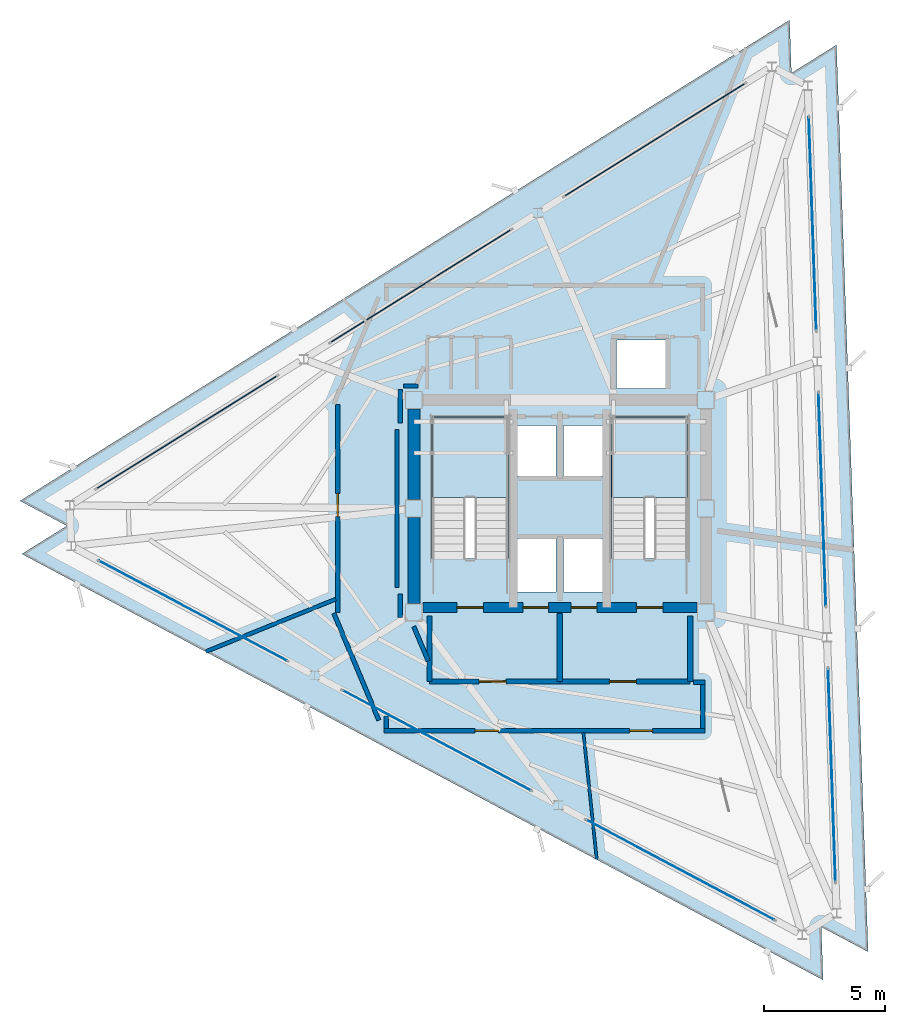
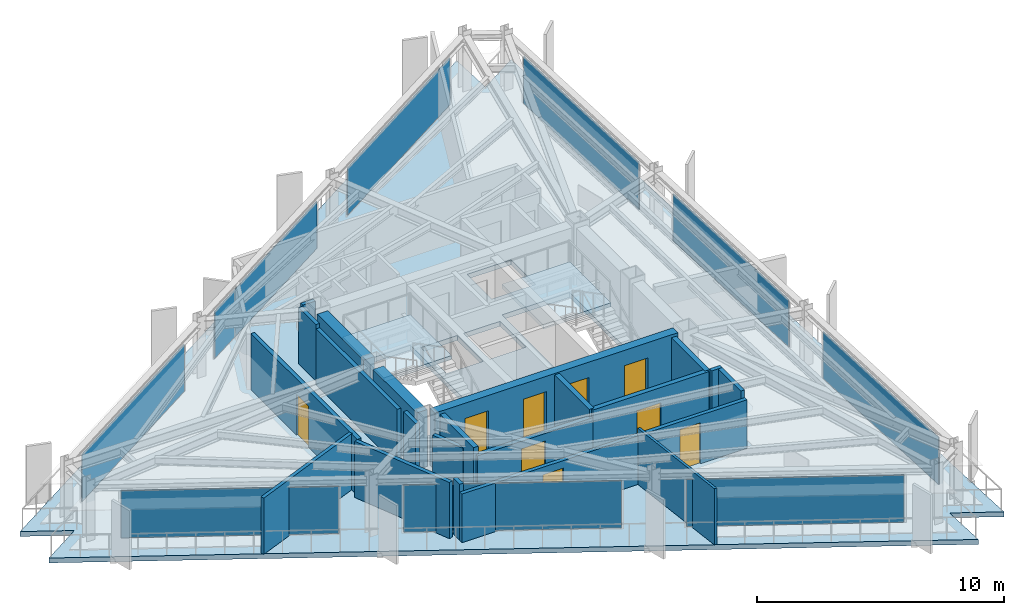
# One storey, part 8 of 13: 21 walls, 9 doors, 9 plates, 3 slabs, 9 openings, 11 elements without a shape of their own.
"""IFC4 building model written with IfcOpenShell, lengths in metres."""

import ifcopenshell
import ifcopenshell.guid

model = None  # the IFC model being written
_history = None  # IfcOwnerHistory: only IFC2X3 demands one
_inside = {}  # id of a spatial element -> (the spatial element, [elements in it])
_under = {}  # id of a project, library or spatial element -> (it, [spatial elements below it])
_declared = {}  # id of a project -> (the project, [libraries it declares])
_typed = {}  # id of a type object -> (the type object, [elements of that type])
_made_of = {}  # id of a material, layer set ... -> (it, [elements and type objects made of it])


def new_model(schema):
    """Start an empty IFC model of exactly this schema.

    Asked for "IFC4X3", IfcOpenShell would pick the latest addendum, in which some entities
    have other attributes; the version numbers below select the first issue.
    IFC2X3 requires an IfcOwnerHistory on every rooted entity: one is made here for all.
    """
    global model, _history
    if schema == "IFC4X3":
        model = ifcopenshell.file(schema_version=(4, 3, 0, 0))
    else:
        model = ifcopenshell.file(schema=schema)
    _inside.clear()
    _under.clear()
    _declared.clear()
    _typed.clear()
    _made_of.clear()
    _history = None
    if model.schema == "IFC2X3":
        org = make("IfcOrganization", Name="unknown")
        user = make(
            "IfcPersonAndOrganization",
            ThePerson=make("IfcPerson", FamilyName="unknown"),
            TheOrganization=org,
        )
        app = make(
            "IfcApplication",
            ApplicationDeveloper=org,
            Version="unknown",
            ApplicationFullName="unknown",
            ApplicationIdentifier="unknown",
        )
        _history = make(
            "IfcOwnerHistory",
            OwningUser=user,
            OwningApplication=app,
            ChangeAction="ADDED",
            CreationDate=0,
        )
    return model


def make(cls, **values):
    """One entity of the class cls with the attributes given. An attribute that is None is left unset."""
    return model.create_entity(
        cls, **{name: value for name, value in values.items() if value is not None}
    )


def rooted(cls, **values):
    """An entity with a GlobalId (a new one), such as an element, a storey or a relation."""
    return make(cls, GlobalId=ifcopenshell.guid.new(), OwnerHistory=_history, **values)


def si_unit(unit_type, name, prefix=None):
    """IfcSIUnit, for example si_unit("LENGTHUNIT", "METRE", prefix="MILLI")."""
    return make("IfcSIUnit", UnitType=unit_type, Prefix=prefix, Name=name)


def assignment(units):
    """IfcUnitAssignment: the units of a project."""
    return None if units is None else make("IfcUnitAssignment", Units=units)


def point(xyz):
    """IfcCartesianPoint."""
    return None if xyz is None else make("IfcCartesianPoint", Coordinates=xyz)


def direction(xyz):
    """IfcDirection."""
    return None if xyz is None else make("IfcDirection", DirectionRatios=xyz)


def frame(location, z_axis=None, x_axis=None):
    """IfcAxis2Placement3D, a coordinate frame: its origin and axes. An axis left out is left unset."""
    return make(
        "IfcAxis2Placement3D",
        Location=point(location),
        Axis=direction(z_axis),
        RefDirection=direction(x_axis),
    )


def frame_2d(location, x_axis=None):
    """IfcAxis2Placement2D, a coordinate frame in the plane: its origin and x axis."""
    return make(
        "IfcAxis2Placement2D", Location=point(location), RefDirection=direction(x_axis)
    )


def origin():
    """The frame at (0, 0, 0) with its axes left unset."""
    return frame((0.0, 0.0, 0.0))


def origin_2d():
    """The frame at (0, 0) in the plane with its x axis left unset."""
    return frame_2d((0.0, 0.0))


def place(relative_to, where):
    """IfcLocalPlacement: puts the frame where relative to a parent placement (None: the world)."""
    return make(
        "IfcLocalPlacement", PlacementRelTo=relative_to, RelativePlacement=where
    )


def context(
    kind, dimensions, precision=None, world=None, true_north=None, identifier=None
):
    """IfcGeometricRepresentationContext, for example the 3D "Model" context."""
    return make(
        "IfcGeometricRepresentationContext",
        ContextIdentifier=identifier,
        ContextType=kind,
        CoordinateSpaceDimension=dimensions,
        Precision=precision,
        WorldCoordinateSystem=world,
        TrueNorth=true_north,
    )


def subcontext(parent, identifier, kind, view, scale=None):
    """IfcGeometricRepresentationSubContext, for example "Body" below "Model"."""
    return make(
        "IfcGeometricRepresentationSubContext",
        ContextIdentifier=identifier,
        ContextType=kind,
        ParentContext=parent,
        TargetScale=scale,
        TargetView=view,
    )


def project(units=None, contexts=None):
    """IfcProject with its units and contexts."""
    return rooted(
        "IfcProject",
        Name="project",
        RepresentationContexts=contexts,
        UnitsInContext=assignment(units),
    )


def spatial(cls, under=None, at=None, **own):
    """A site, building, storey or space (cls), placed at a placement, below another one or the project."""
    s = rooted(cls, ObjectPlacement=at, **own)
    if under is not None:
        _under.setdefault(under.id(), (under, []))[1].append(s)
    return s


def polyline(points):
    """IfcPolyline through the points."""
    return make("IfcPolyline", Points=[point(p) for p in points])


def profile(cls, at=None, kind="AREA", **sizes):
    """A parametric profile (cls). Its sizes go by their IFC names, for example OverallWidth=200.0."""
    return make(cls, ProfileType=kind, Position=at, **sizes)


def rectangle(**sizes):
    """IfcRectangleProfileDef."""
    return profile("IfcRectangleProfileDef", **sizes)


def outline(outer, holes=None, kind="AREA"):
    """IfcArbitraryClosedProfileDef: a profile drawn as a closed curve; with holes, ...WithVoids."""
    if holes is None:
        return make("IfcArbitraryClosedProfileDef", ProfileType=kind, OuterCurve=outer)
    return make(
        "IfcArbitraryProfileDefWithVoids",
        ProfileType=kind,
        OuterCurve=outer,
        InnerCurves=holes,
    )


def extrude(swept, where, along, depth):
    """IfcExtrudedAreaSolid: the profile swept, set in the frame where, extruded along a direction by depth."""
    return make(
        "IfcExtrudedAreaSolid",
        SweptArea=swept,
        Position=where,
        ExtrudedDirection=direction(along),
        Depth=depth,
    )


def shape(context_of_items, identifier, shape_type, items):
    """IfcShapeRepresentation: the items that make up one representation, for example the "Body"."""
    return make(
        "IfcShapeRepresentation",
        ContextOfItems=context_of_items,
        RepresentationIdentifier=identifier,
        RepresentationType=shape_type,
        Items=items,
    )


def material(Name=None, Category=None):
    """IfcMaterial."""
    return make("IfcMaterial", Name=Name, Category=Category)


def layer(
    of_material, thickness, ventilated=None, Name=None, Category=None, Priority=None
):
    """IfcMaterialLayer: one layer of a wall or slab, of a material (None: an air gap)."""
    return make(
        "IfcMaterialLayer",
        Material=of_material,
        LayerThickness=thickness,
        IsVentilated=ventilated,
        Name=Name,
        Category=Category,
        Priority=Priority,
    )


def layer_set(layers, Name=None):
    """IfcMaterialLayerSet."""
    return make("IfcMaterialLayerSet", MaterialLayers=layers, LayerSetName=Name)


def made_of(thing, what):
    """Note that an element or type object is made of a material, layer set ...; save() writes the relation."""
    if what is not None:
        _made_of.setdefault(what.id(), (what, []))[1].append(thing)
    return thing


def type_object(cls, material=None, **own):
    """A type object (cls), such as IfcWallType, which elements share."""
    return made_of(rooted(cls, **own), material)


def element(
    cls,
    number,
    at=None,
    inside=None,
    cuts=None,
    type_object=None,
    material=None,
    context=None,
    identifier="Body",
    shape_type=None,
    held_by="IfcProductDefinitionShape",
    body=None,
    shapes=None,
    **own,
):
    """One element of the class cls, such as IfcWall. Its Tag is "e" and its number.

    at: its placement. inside: the storey or other place that contains it. cuts: it is an
    opening in that element (IfcRelVoidsElement). A single representation is given by context,
    identifier, shape_type and body (its items); several are given by shapes. held_by: the class
    of the entity that holds the representations. save() writes the other relations.
    """
    e = rooted(cls, Tag="e%d" % number, ObjectPlacement=at, **own)
    if body is not None:
        shapes = [shape(context, identifier, shape_type, body)]
    if shapes is not None:
        e.Representation = make(held_by, Representations=shapes)
    if inside is not None:
        _inside.setdefault(inside.id(), (inside, []))[1].append(e)
    if cuts is not None:
        rooted(
            "IfcRelVoidsElement", RelatingBuildingElement=cuts, RelatedOpeningElement=e
        )
    if type_object is not None:
        _typed.setdefault(type_object.id(), (type_object, []))[1].append(e)
    return made_of(e, material)


def fill(opening, filler):
    """IfcRelFillsElement: the door or window that sits in an opening."""
    return rooted(
        "IfcRelFillsElement",
        RelatingOpeningElement=opening,
        RelatedBuildingElement=filler,
    )


def aggregate(whole, parts):
    """IfcRelAggregates: a whole, such as a stair, and the parts it consists of."""
    return rooted("IfcRelAggregates", RelatingObject=whole, RelatedObjects=parts)


def save(model, path):
    """Write the relations noted so far, then the file.

    IfcRelAggregates (storeys below a building ...), IfcRelContainedInSpatialStructure (elements
    in a storey), IfcRelDefinesByType, IfcRelAssociatesMaterial and IfcRelDeclares: one each for
    every whole, place, type object, material and project.
    """
    for whole, parts in _under.values():
        aggregate(whole, parts)
    for where, things in _inside.values():
        rooted(
            "IfcRelContainedInSpatialStructure",
            RelatedElements=things,
            RelatingStructure=where,
        )
    for kind, things in _typed.values():
        rooted("IfcRelDefinesByType", RelatedObjects=things, RelatingType=kind)
    for what, things in _made_of.values():
        rooted("IfcRelAssociatesMaterial", RelatedObjects=things, RelatingMaterial=what)
    for by, libraries in _declared.values():
        rooted("IfcRelDeclares", RelatingContext=by, RelatedDefinitions=libraries)
    model.write(path)


model = new_model("IFC4")

# Units and contexts
model_context = context("Model", 3, precision=1e-05, world=origin(), true_north=direction((0.0, 1.0)))
body_context = subcontext(model_context, "Body", "Model", "MODEL_VIEW")
ifc_project = project(units=[si_unit("LENGTHUNIT", "METRE"), si_unit("AREAUNIT", "SQUARE_METRE"), si_unit("VOLUMEUNIT", "CUBIC_METRE"), si_unit("PLANEANGLEUNIT", "RADIAN"), si_unit("MASSUNIT", "GRAM", prefix="KILO")], contexts=[model_context])

# Site, building, storey
site_placement = place(None, origin())
site = spatial("IfcSite", under=ifc_project, at=site_placement, CompositionType="ELEMENT")
building_placement = place(site_placement, origin())
building = spatial("IfcBuilding", under=site, at=building_placement, Name="Rocaltana Carrier Exchange", CompositionType="ELEMENT")
storey_placement = place(building_placement, frame((0.0, 0.0, 202.719970703125)))
storey = spatial("IfcBuildingStorey", under=building, at=storey_placement, Name="L64", CompositionType="ELEMENT", Elevation=202.719970703125)

# Curtain wall, plate
ifc_material_1 = material(Name="Aluminium 6063-T6", Category="aluminium")
ifc_layer_1 = layer(ifc_material_1, 0.1201171875)
ifc_layer_set_1 = layer_set([ifc_layer_1], Name="Aluminium 6063-T6")
curtain_wall_type = type_object("IfcCurtainWallType", Name="High-Altitude Thermal Curtain Wall CW-05", PredefinedType="NOTDEFINED", material=ifc_layer_set_1)
curtain_wall_1_placement = place(storey_placement, origin())
curtain_wall_1 = element("IfcCurtainWall", 1, at=curtain_wall_1_placement, inside=storey, type_object=curtain_wall_type, Name="L64 CW-05 Run CW-L64-F1S1", PredefinedType="NOTDEFINED")
ifc_material_2 = material(Name="Tempered Laminated Glass", Category="glass")
ifc_layer_2 = layer(ifc_material_2, 0.035888671875)
ifc_layer_set_2 = layer_set([ifc_layer_2], Name="Tempered Laminated Glass")
plate_type = type_object("IfcPlateType", Name="CW-05 Stone-Insulated Vision Panel", PredefinedType="CURTAIN_PANEL", material=ifc_layer_set_2)
plate_1_placement = place(storey_placement, frame((11.266845703125, -11.046875, 0.06005859375), z_axis=(0.0, 0.0, 1.0), x_axis=(-0.034914127567, 0.999390315991, 0.0)))
plate_1 = element("IfcPlate", 2, at=plate_1_placement, type_object=plate_type, Name="CW-05 panel 1.1", PredefinedType="CURTAIN_PANEL", context=body_context, shape_type="SweptSolid", body=[
    extrude(rectangle(XDim=8.813232421875, YDim=0.035888671875, at=origin_2d()), origin(), (0.0, 0.0, 1.0), 2.327880859375),
])
aggregate(curtain_wall_1, [plate_1])

curtain_wall_2_placement = place(storey_placement, origin())
curtain_wall_2 = element("IfcCurtainWall", 3, at=curtain_wall_2_placement, inside=storey, type_object=curtain_wall_type, Name="L64 CW-05 Run CW-L64-F1S2", PredefinedType="NOTDEFINED")
plate_2_placement = place(storey_placement, frame((10.86767578125, 0.37939453125, 0.06005859375), z_axis=(0.0, 0.0, 1.0), x_axis=(-0.034902556738, 0.999390720156, 0.0)))
plate_2 = element("IfcPlate", 4, at=plate_2_placement, type_object=plate_type, Name="CW-05 panel 1.1", PredefinedType="CURTAIN_PANEL", context=body_context, shape_type="SweptSolid", body=[
    extrude(rectangle(XDim=8.8134765625, YDim=0.035888671875, at=origin_2d()), origin(), (0.0, 0.0, 1.0), 2.327880859375),
])
aggregate(curtain_wall_2, [plate_2])

curtain_wall_3_placement = place(storey_placement, origin())
curtain_wall_3 = element("IfcCurtainWall", 5, at=curtain_wall_3_placement, inside=storey, type_object=curtain_wall_type, Name="L64 CW-05 Run CW-L64-F1S3", PredefinedType="NOTDEFINED")
plate_3_placement = place(storey_placement, frame((10.46875, 11.805908203125, 0.06005859375), z_axis=(0.0, 0.0, 1.0), x_axis=(-0.034902556738, 0.999390720156, 0.0)))
plate_3 = element("IfcPlate", 6, at=plate_3_placement, type_object=plate_type, Name="CW-05 panel 1.1", PredefinedType="CURTAIN_PANEL", context=body_context, shape_type="SweptSolid", body=[
    extrude(rectangle(XDim=8.8134765625, YDim=0.035888671875, at=origin_2d()), origin(), (0.0, 0.0, 1.0), 2.327880859375),
])
aggregate(curtain_wall_3, [plate_3])

curtain_wall_4_placement = place(storey_placement, origin())
curtain_wall_4 = element("IfcCurtainWall", 7, at=curtain_wall_4_placement, inside=storey, type_object=curtain_wall_type, Name="L64 CW-05 Run CW-L64-F2S1", PredefinedType="NOTDEFINED")
plate_4_placement = place(storey_placement, frame((3.93359375, 15.28076171875, 0.06005859375), z_axis=(0.0, 0.0, 1.0), x_axis=(-0.848042322807, -0.529928503412, 0.0)))
plate_4 = element("IfcPlate", 8, at=plate_4_placement, type_object=plate_type, Name="CW-05 panel 1.1", PredefinedType="CURTAIN_PANEL", context=body_context, shape_type="SweptSolid", body=[
    extrude(rectangle(XDim=8.813232421875, YDim=0.035888671875, at=origin_2d()), origin(), (0.0, 0.0, 1.0), 2.327880859375),
])
aggregate(curtain_wall_4, [plate_4])

curtain_wall_5_placement = place(storey_placement, origin())
curtain_wall_5 = element("IfcCurtainWall", 9, at=curtain_wall_5_placement, inside=storey, type_object=curtain_wall_type, Name="L64 CW-05 Run CW-L64-F2S2", PredefinedType="NOTDEFINED")
plate_5_placement = place(storey_placement, frame((-5.762451171875, 9.221923828125, 0.06005859375), z_axis=(0.0, 0.0, 1.0), x_axis=(-0.848047353446, -0.529920452816, 0.0)))
plate_5 = element("IfcPlate", 10, at=plate_5_placement, type_object=plate_type, Name="CW-05 panel 1.1", PredefinedType="CURTAIN_PANEL", context=body_context, shape_type="SweptSolid", body=[
    extrude(rectangle(XDim=8.813232421875, YDim=0.035888671875, at=origin_2d()), origin(), (0.0, 0.0, 1.0), 2.327880859375),
])
aggregate(curtain_wall_5, [plate_5])

curtain_wall_6_placement = place(storey_placement, origin())
curtain_wall_6 = element("IfcCurtainWall", 11, at=curtain_wall_6_placement, inside=storey, type_object=curtain_wall_type, Name="L64 CW-05 Run CW-L64-F2S3", PredefinedType="NOTDEFINED")
plate_6_placement = place(storey_placement, frame((-15.45849609375, 3.163330078125, 0.06005859375), z_axis=(0.0, 0.0, 1.0), x_axis=(-0.848050496896, -0.529915422228, 0.0)))
plate_6 = element("IfcPlate", 12, at=plate_6_placement, type_object=plate_type, Name="CW-05 panel 1.1", PredefinedType="CURTAIN_PANEL", context=body_context, shape_type="SweptSolid", body=[
    extrude(rectangle(XDim=8.813232421875, YDim=0.035888671875, at=origin_2d()), origin(), (0.0, 0.0, 1.0), 2.327880859375),
])
aggregate(curtain_wall_6, [plate_6])

curtain_wall_7_placement = place(storey_placement, origin())
curtain_wall_7 = element("IfcCurtainWall", 13, at=curtain_wall_7_placement, inside=storey, type_object=curtain_wall_type, Name="L64 CW-05 Run CW-L64-F3S1", PredefinedType="NOTDEFINED")
plate_7_placement = place(storey_placement, frame((-15.2001953125, -4.23388671875, 0.06005859375), z_axis=(0.0, 0.0, 1.0), x_axis=(0.882941304732, -0.469483388841, 0.0)))
plate_7 = element("IfcPlate", 14, at=plate_7_placement, type_object=plate_type, Name="CW-05 panel 1.1", PredefinedType="CURTAIN_PANEL", context=body_context, shape_type="SweptSolid", body=[
    extrude(rectangle(XDim=8.8134765625, YDim=0.035888671875, at=origin_2d()), origin(), (0.0, 0.0, 1.0), 2.327880859375),
])
aggregate(curtain_wall_7, [plate_7])

curtain_wall_8_placement = place(storey_placement, origin())
curtain_wall_8 = element("IfcCurtainWall", 15, at=curtain_wall_8_placement, inside=storey, type_object=curtain_wall_type, Name="L64 CW-05 Run CW-L64-F3S2", PredefinedType="NOTDEFINED")
plate_8_placement = place(storey_placement, frame((-5.105224609375, -9.6015625, 0.06005859375), z_axis=(0.0, 0.0, 1.0), x_axis=(0.882943477624, -0.469479302335, 0.0)))
plate_8 = element("IfcPlate", 16, at=plate_8_placement, type_object=plate_type, Name="CW-05 panel 1.1", PredefinedType="CURTAIN_PANEL", context=body_context, shape_type="SweptSolid", body=[
    extrude(rectangle(XDim=8.813232421875, YDim=0.035888671875, at=origin_2d()), origin(), (0.0, 0.0, 1.0), 2.327880859375),
])
aggregate(curtain_wall_8, [plate_8])

curtain_wall_9_placement = place(storey_placement, origin())
curtain_wall_9 = element("IfcCurtainWall", 17, at=curtain_wall_9_placement, inside=storey, type_object=curtain_wall_type, Name="L64 CW-05 Run CW-L64-F3S3", PredefinedType="NOTDEFINED")
plate_9_placement = place(storey_placement, frame((4.98974609375, -14.968994140625, 0.06005859375), z_axis=(0.0, 0.0, 1.0), x_axis=(0.882945944879, -0.469474662173, 0.0)))
plate_9 = element("IfcPlate", 18, at=plate_9_placement, type_object=plate_type, Name="CW-05 panel 1.1", PredefinedType="CURTAIN_PANEL", context=body_context, shape_type="SweptSolid", body=[
    extrude(rectangle(XDim=8.8134765625, YDim=0.035888671875, at=origin_2d()), origin(), (0.0, 0.0, 1.0), 2.327880859375),
])
aggregate(curtain_wall_9, [plate_9])

# Slab
ifc_material_3 = material(Name="Concrete C50/60", Category="concrete")
ifc_layer_3 = layer(ifc_material_3, 0.239990234375)
ifc_layer_set_3 = layer_set([ifc_layer_3], Name="Concrete C50/60")
slab_type_1 = type_object("IfcSlabType", Name="High-Zone Tower Slab 240", PredefinedType="FLOOR", material=ifc_layer_set_3)
slab_1_placement = place(storey_placement, frame((0.0, 0.0, -0.239990234375)))
element("IfcSlab", 19, at=slab_1_placement, inside=storey, type_object=slab_type_1, Name="L64 Structural Floor Slab", PredefinedType="FLOOR", context=body_context, shape_type="SweptSolid", body=[
    extrude(outline(polyline([(10.907470703125, -19.53125), (10.83056640625, -17.33251953125), (12.773193359375, -18.365478515625), (11.4609375, 19.211669921875), (9.59521484375, 18.0458984375), (9.518310546875, 20.244384765625), (-22.3681640625, 0.319580078125), (-20.42578125, -0.71337890625), (-22.29150390625, -1.879150390625), (10.907470703125, -19.53125)]), holes=[polyline([(-5.300048828125, -2.06005859375), (-2.139892578125, -2.06005859375), (-2.139892578125, 3.800048828125), (-5.300048828125, 3.800048828125), (-5.300048828125, -2.06005859375)]), polyline([(2.139892578125, -2.06005859375), (5.300048828125, -2.06005859375), (5.300048828125, 3.800048828125), (2.139892578125, 3.800048828125), (2.139892578125, -2.06005859375)]), polyline([(-1.85009765625, -3.449951171875), (-0.14990234375, -3.449951171875), (-0.14990234375, -1.25), (-1.85009765625, -1.25), (-1.85009765625, -3.449951171875)]), polyline([(0.14990234375, -3.449951171875), (1.85009765625, -3.449951171875), (1.85009765625, -1.25), (0.14990234375, -1.25), (0.14990234375, -3.449951171875)]), polyline([(2.35009765625, 4.97998046875), (4.39990234375, 4.97998046875), (4.39990234375, 6.97998046875), (2.35009765625, 6.97998046875), (2.35009765625, 4.97998046875)]), polyline([(-1.85009765625, 1.35009765625), (-0.14990234375, 1.35009765625), (-0.14990234375, 3.449951171875), (-1.85009765625, 3.449951171875), (-1.85009765625, 1.35009765625)]), polyline([(0.14990234375, 1.35009765625), (1.85009765625, 1.35009765625), (1.85009765625, 3.449951171875), (0.14990234375, 3.449951171875), (0.14990234375, 1.35009765625)])]), origin(), (0.0, 0.0, 1.0), 0.239990234375),
])

# Stair, slab
ifc_material_4 = material(Name="Precast concrete C45/55", Category="concrete")
stair_type = type_object("IfcStairType", Name="Standard Dog-Leg Stair 160", PredefinedType="HALF_TURN_STAIR", material=ifc_material_4)
stair_1_placement = place(storey_placement, origin())
stair_1 = element("IfcStair", 20, at=stair_1_placement, inside=storey, type_object=stair_type, Name="L64 Core West Exit Stair ST-1", PredefinedType="HALF_TURN_STAIR")
ifc_material_5 = material(Name="Precast concrete C45/55", Category="concrete")
ifc_layer_4 = layer(ifc_material_5, 0.199951171875)
ifc_layer_set_4 = layer_set([ifc_layer_4], Name="Precast concrete C45/55")
slab_type_2 = type_object("IfcSlabType", Name="Precast Stair Half-Landing 200", PredefinedType="LANDING", material=ifc_layer_set_4)
slab_2_placement = place(storey_placement, frame((0.0, 0.0, 1.320068359375)))
slab_2 = element("IfcSlab", 21, at=slab_2_placement, type_object=slab_type_2, Name="ST-1 landing 1", PredefinedType="LANDING", context=body_context, shape_type="SweptSolid", body=[
    extrude(outline(polyline([(-2.139892578125, 0.4599609375), (-2.139892578125, 3.800048828125), (-5.300048828125, 3.800048828125), (-5.300048828125, 0.4599609375), (-2.139892578125, 0.4599609375)])), origin(), (0.0, 0.0, 1.0), 0.199951171875),
])
aggregate(stair_1, [slab_2])

stair_2_placement = place(storey_placement, origin())
stair_2 = element("IfcStair", 22, at=stair_2_placement, inside=storey, type_object=stair_type, Name="L64 Core East Exit Stair ST-2", PredefinedType="HALF_TURN_STAIR")
slab_3_placement = place(storey_placement, frame((0.0, 0.0, 1.320068359375)))
slab_3 = element("IfcSlab", 23, at=slab_3_placement, type_object=slab_type_2, Name="ST-2 landing 1", PredefinedType="LANDING", context=body_context, shape_type="SweptSolid", body=[
    extrude(outline(polyline([(5.300048828125, 0.4599609375), (5.300048828125, 3.800048828125), (2.139892578125, 3.800048828125), (2.139892578125, 0.4599609375), (5.300048828125, 0.4599609375)])), origin(), (0.0, 0.0, 1.0), 0.199951171875),
])
aggregate(stair_2, [slab_3])

# Wall
ifc_material_6 = material(Name="Double Acoustic Gypsum Partition", Category="gypsum")
ifc_layer_5 = layer(ifc_material_6, 0.159912109375)
ifc_layer_set_5 = layer_set([ifc_layer_5], Name="Double Acoustic Gypsum Partition")
wall_type_1 = type_object("IfcWallType", Name="Acoustic Studio Partition 160 EI60", PredefinedType="PARTITIONING", material=ifc_layer_set_5)
wall_1_placement = place(storey_placement, frame((-9.280029296875, -3.74951171875, 0.0), z_axis=(0.0, 0.0, 1.0), x_axis=(-0.927192124848, -0.374586123102, 0.0)))
element("IfcWall", 24, at=wall_1_placement, inside=storey, type_object=wall_type_1, Name="L64 Suite Divider Wall D1", PredefinedType="PARTITIONING", context=body_context, shape_type="SweptSolid", body=[
    extrude(rectangle(XDim=5.80517578125, YDim=0.159912109375, at=frame_2d((2.902587890625, 0.0))), origin(), (0.0, 0.0, 1.0), 2.77294921875),
])

# Wall, openings, doors
ifc_material_7 = material(Name="Concrete C50/60", Category="concrete")
ifc_layer_6 = layer(ifc_material_7, 0.39990234375)
ifc_layer_set_6 = layer_set([ifc_layer_6], Name="Concrete C50/60")
wall_type_2 = type_object("IfcWallType", Name="Core Internal Shear Wall 400", PredefinedType="SHEAR", material=ifc_layer_set_6)
wall_2_placement = place(storey_placement, frame((-5.675048828125, -4.10009765625, 0.0), z_axis=(0.0, 0.0, 1.0), x_axis=(1.0, 0.0, 0.0)))
wall_2 = element("IfcWall", 25, at=wall_2_placement, inside=storey, type_object=wall_type_2, Name="L64 Core Shear Wall CW-S", PredefinedType="SHEAR", context=body_context, shape_type="SweptSolid", body=[
    extrude(rectangle(XDim=11.35009765625, YDim=0.39990234375, at=frame_2d((5.675048828125, 0.0))), origin(), (0.0, 0.0, 1.0), 2.798095703125),
])
opening_1_placement = place(wall_2_placement, frame((1.405029296875, 0.0, 0.0)))
opening_1 = element("IfcOpeningElement", 26, at=opening_1_placement, cuts=wall_2, Name="Opening D-ST110", PredefinedType="OPENING", context=body_context, shape_type="SweptSolid", body=[
    extrude(rectangle(XDim=1.10009765625, YDim=2.0400390625, at=frame_2d((0.550048828125, 1.02001953125))), frame((0.0, 0.2099609375, 0.0), z_axis=(0.0, -1.0, 0.0), x_axis=(1.0, 0.0, 0.0)), (0.0, 0.0, 1.0), 0.419921875),
])
opening_2_placement = place(wall_2_placement, frame((8.844970703125, 0.0, 0.0)))
opening_2 = element("IfcOpeningElement", 27, at=opening_2_placement, cuts=wall_2, Name="Opening D-ST110", PredefinedType="OPENING", context=body_context, shape_type="SweptSolid", body=[
    extrude(rectangle(XDim=1.10009765625, YDim=2.0400390625, at=frame_2d((0.550048828125, 1.02001953125))), frame((0.0, 0.2099609375, 0.0), z_axis=(0.0, -1.0, 0.0), x_axis=(1.0, 0.0, 0.0)), (0.0, 0.0, 1.0), 0.419921875),
])
opening_3_placement = place(wall_2_placement, frame((4.14501953125, 0.0, 0.0)))
opening_3 = element("IfcOpeningElement", 28, at=opening_3_placement, cuts=wall_2, Name="Opening LD-110", PredefinedType="OPENING", context=body_context, shape_type="SweptSolid", body=[
    extrude(rectangle(XDim=1.06005859375, YDim=2.0400390625, at=frame_2d((0.530029296875, 1.02001953125))), frame((0.0, 0.2099609375, 0.0), z_axis=(0.0, -1.0, 0.0), x_axis=(1.0, 0.0, 0.0)), (0.0, 0.0, 1.0), 0.419921875),
])
opening_4_placement = place(wall_2_placement, frame((6.14501953125, 0.0, 0.0)))
opening_4 = element("IfcOpeningElement", 29, at=opening_4_placement, cuts=wall_2, Name="Opening LD-110", PredefinedType="OPENING", context=body_context, shape_type="SweptSolid", body=[
    extrude(rectangle(XDim=1.06005859375, YDim=2.0400390625, at=frame_2d((0.530029296875, 1.02001953125))), frame((0.0, 0.2099609375, 0.0), z_axis=(0.0, -1.0, 0.0), x_axis=(1.0, 0.0, 0.0)), (0.0, 0.0, 1.0), 0.419921875),
])
ifc_material_8 = material(Name="Hollow Metal Fire Door Assembly", Category="steel")
door_type_1 = type_object("IfcDoorType", Name="Exit Stair Fire Door 1100x2040 FD90S", OperationType="NOTDEFINED", PredefinedType="DOOR", material=ifc_material_8)
door_1_placement = place(opening_1_placement, origin())
door_1 = element("IfcDoor", 30, at=door_1_placement, inside=storey, type_object=door_type_1, Name="L64 Exit Stair ST1 Fire Door", OperationType="SINGLE_SWING_LEFT", OverallHeight=2.0400390625, OverallWidth=1.10009765625, PredefinedType="DOOR", context=body_context, shape_type="SweptSolid", body=[
    extrude(rectangle(XDim=1.10009765625, YDim=2.0400390625, at=frame_2d((0.550048828125, 1.02001953125))), frame((0.0, 0.02490234375, 0.0), z_axis=(0.0, -1.0, 0.0), x_axis=(1.0, 0.0, 0.0)), (0.0, 0.0, 1.0), 0.050048828125),
])
fill(opening_1, door_1)
door_2_placement = place(opening_2_placement, origin())
door_2 = element("IfcDoor", 31, at=door_2_placement, inside=storey, type_object=door_type_1, Name="L64 Exit Stair ST2 Fire Door", OperationType="SINGLE_SWING_RIGHT", OverallHeight=2.0400390625, OverallWidth=1.10009765625, PredefinedType="DOOR", context=body_context, shape_type="SweptSolid", body=[
    extrude(rectangle(XDim=1.10009765625, YDim=2.0400390625, at=frame_2d((0.550048828125, 1.02001953125))), frame((0.0, 0.02490234375, 0.0), z_axis=(0.0, -1.0, 0.0), x_axis=(1.0, 0.0, 0.0)), (0.0, 0.0, 1.0), 0.050048828125),
])
fill(opening_2, door_2)
ifc_material_9 = material(Name="Brushed Stainless Sliding Door Leaf", Category="steel")
door_type_2 = type_object("IfcDoorType", Name="Lift Landing Sliding Door 1060x2040", OperationType="NOTDEFINED", PredefinedType="DOOR", material=ifc_material_9)
door_3_placement = place(opening_3_placement, origin())
door_3 = element("IfcDoor", 32, at=door_3_placement, inside=storey, type_object=door_type_2, Name="L64 Firefighting Lift FFL1 Landing Door", OperationType="SLIDING_TO_LEFT", OverallHeight=2.0400390625, OverallWidth=1.06005859375, PredefinedType="DOOR", context=body_context, shape_type="SweptSolid", body=[
    extrude(rectangle(XDim=1.06005859375, YDim=2.0400390625, at=frame_2d((0.530029296875, 1.02001953125))), frame((0.0, 0.02490234375, 0.0), z_axis=(0.0, -1.0, 0.0), x_axis=(1.0, 0.0, 0.0)), (0.0, 0.0, 1.0), 0.050048828125),
])
fill(opening_3, door_3)
door_4_placement = place(opening_4_placement, origin())
door_4 = element("IfcDoor", 33, at=door_4_placement, inside=storey, type_object=door_type_2, Name="L64 Firefighting Lift FFL2 Landing Door", OperationType="SLIDING_TO_RIGHT", OverallHeight=2.0400390625, OverallWidth=1.06005859375, PredefinedType="DOOR", context=body_context, shape_type="SweptSolid", body=[
    extrude(rectangle(XDim=1.06005859375, YDim=2.0400390625, at=frame_2d((0.530029296875, 1.02001953125))), frame((0.0, 0.02490234375, 0.0), z_axis=(0.0, -1.0, 0.0), x_axis=(1.0, 0.0, 0.0)), (0.0, 0.0, 1.0), 0.050048828125),
])
fill(opening_4, door_4)

# Walls
ifc_material_10 = material(Name="Concrete C50/60", Category="concrete")
ifc_layer_7 = layer(ifc_material_10, 0.5)
ifc_layer_set_7 = layer_set([ifc_layer_7], Name="Concrete C50/60")
wall_type_3 = type_object("IfcWallType", Name="Core Shear Wall 500", PredefinedType="SHEAR", material=ifc_layer_set_7)
wall_3_placement = place(storey_placement, frame((-6.050048828125, 0.375, 0.0), z_axis=(0.0, 0.0, 1.0), x_axis=(0.0, 1.0, 0.0)))
element("IfcWall", 34, at=wall_3_placement, inside=storey, type_object=wall_type_3, Name="L64 Core Shear Wall CW-WN", PredefinedType="SHEAR", context=body_context, shape_type="SweptSolid", body=[
    extrude(rectangle(XDim=3.75, YDim=0.5, at=frame_2d((1.875, 0.0))), origin(), (0.0, 0.0, 1.0), 2.798095703125),
])
wall_4_placement = place(storey_placement, frame((-6.050048828125, -3.925048828125, 0.0), z_axis=(0.0, 0.0, 1.0), x_axis=(0.0, 1.0, 0.0)))
element("IfcWall", 35, at=wall_4_placement, inside=storey, type_object=wall_type_3, Name="L64 Core Shear Wall CW-WS", PredefinedType="SHEAR", context=body_context, shape_type="SweptSolid", body=[
    extrude(rectangle(XDim=3.550048828125, YDim=0.5, at=frame_2d((1.77490234375, 0.0))), origin(), (0.0, 0.0, 1.0), 2.798095703125),
])
ifc_material_11 = material(Name="Gypsum & Steel Stud Partition", Category="steel")
ifc_layer_8 = layer(ifc_material_11, 0.179931640625)
ifc_layer_set_8 = layer_set([ifc_layer_8], Name="Gypsum & Steel Stud Partition")
wall_type_4 = type_object("IfcWallType", Name="Corridor Fire Partition 180 EI60", PredefinedType="PARTITIONING", material=ifc_layer_set_8)
wall_5_placement = place(storey_placement, frame((-7.501220703125, -8.768798828125, 0.0), z_axis=(0.0, 0.0, 1.0), x_axis=(-0.387573945081, 0.921838617706, 0.0)))
element("IfcWall", 36, at=wall_5_placement, inside=storey, type_object=wall_type_4, Name="L64 Corridor Partition 1", PredefinedType="PARTITIONING", context=body_context, shape_type="SweptSolid", body=[
    extrude(rectangle(XDim=4.813232421875, YDim=0.179931640625, at=frame_2d((2.40673828125, 0.0))), origin(), (0.0, 0.0, 1.0), 2.77294921875),
])

# Wall, opening, door
wall_6_placement = place(storey_placement, frame((-9.199951171875, -4.303466796875, 0.0), z_axis=(0.0, 0.0, 1.0), x_axis=(0.0, 1.0, 0.0)))
wall_6 = element("IfcWall", 37, at=wall_6_placement, inside=storey, type_object=wall_type_4, Name="L64 Corridor Partition 2", PredefinedType="PARTITIONING", context=body_context, shape_type="SweptSolid", body=[
    extrude(rectangle(XDim=8.60693359375, YDim=0.179931640625, at=frame_2d((4.303466796875, 0.0))), origin(), (0.0, 0.0, 1.0), 2.77294921875),
])
opening_5_placement = place(wall_6_placement, frame((3.97119140625, 0.0, 0.0)))
opening_5 = element("IfcOpeningElement", 38, at=opening_5_placement, cuts=wall_6, Name="Opening D-RM098", PredefinedType="OPENING", context=body_context, shape_type="SweptSolid", body=[
    extrude(rectangle(XDim=0.9599609375, YDim=2.02001953125, at=frame_2d((0.47998046875, 1.010009765625))), frame((0.0, 0.099853515625, 0.0), z_axis=(0.0, -1.0, 0.0), x_axis=(1.0, 0.0, 0.0)), (0.0, 0.0, 1.0), 0.199951171875),
])
ifc_material_12 = material(Name="Engineered Hardwood Timber", Category="wood")
door_type_3 = type_object("IfcDoorType", Name="Workspace Single Door 960x2020", OperationType="NOTDEFINED", PredefinedType="DOOR", material=ifc_material_12)
door_5_placement = place(opening_5_placement, origin())
door_5 = element("IfcDoor", 39, at=door_5_placement, inside=storey, type_object=door_type_3, Name="L64 Quiet Focus Lounge Entrance Door", OperationType="SINGLE_SWING_LEFT", OverallHeight=2.02001953125, OverallWidth=0.9599609375, PredefinedType="DOOR", context=body_context, shape_type="SweptSolid", body=[
    extrude(rectangle(XDim=0.9599609375, YDim=2.02001953125, at=frame_2d((0.47998046875, 1.010009765625))), frame((0.0, 0.02490234375, 0.0), z_axis=(0.0, -1.0, 0.0), x_axis=(1.0, 0.0, 0.0)), (0.0, 0.0, 1.0), 0.050048828125),
])
fill(opening_5, door_5)

# Walls
wall_7_placement = place(storey_placement, frame((-5.88134765625, 5.080078125, 0.0), z_axis=(0.0, 0.0, 1.0), x_axis=(-1.0, 0.0, 0.0)))
element("IfcWall", 40, at=wall_7_placement, inside=storey, type_object=wall_type_4, Name="L64 Corridor Partition 9", PredefinedType="PARTITIONING", context=body_context, shape_type="SweptSolid", body=[
    extrude(rectangle(XDim=0.588623046875, YDim=0.179931640625, at=frame_2d((0.29443359375, 0.0))), origin(), (0.0, 0.0, 1.0), 2.77294921875),
])
wall_8_placement = place(storey_placement, frame((-6.610107421875, 4.93994140625, 0.0), z_axis=(0.0, 0.0, 1.0), x_axis=(0.0, -1.0, 0.0)))
element("IfcWall", 41, at=wall_8_placement, inside=storey, type_object=wall_type_4, Name="L64 Corridor Partition 10", PredefinedType="PARTITIONING", context=body_context, shape_type="SweptSolid", body=[
    extrude(rectangle(XDim=1.398681640625, YDim=0.179931640625, at=frame_2d((0.69921875, 0.0))), origin(), (0.0, 0.0, 1.0), 2.77294921875),
])
wall_9_placement = place(storey_placement, frame((-6.75, 3.2734375, 0.0), z_axis=(0.0, 0.0, 1.0), x_axis=(0.0, -1.0, 0.0)))
element("IfcWall", 42, at=wall_9_placement, inside=storey, type_object=wall_type_4, Name="L64 Corridor Partition 11", PredefinedType="PARTITIONING", context=body_context, shape_type="SweptSolid", body=[
    extrude(rectangle(XDim=6.546875, YDim=0.179931640625, at=frame_2d((3.2734375, 0.0))), origin(), (0.0, 0.0, 1.0), 2.77294921875),
])
wall_10_placement = place(storey_placement, frame((-6.610107421875, -3.541259765625, 0.0), z_axis=(0.0, 0.0, 1.0), x_axis=(0.0, -1.0, 0.0)))
element("IfcWall", 43, at=wall_10_placement, inside=storey, type_object=wall_type_4, Name="L64 Corridor Partition 12", PredefinedType="PARTITIONING", context=body_context, shape_type="SweptSolid", body=[
    extrude(rectangle(XDim=0.978759765625, YDim=0.179931640625, at=frame_2d((0.4892578125, 0.0))), origin(), (0.0, 0.0, 1.0), 2.77294921875),
])
wall_11_placement = place(storey_placement, frame((-6.0546875, -4.881591796875, 0.0), z_axis=(0.0, 0.0, 1.0), x_axis=(0.387579540458, -0.921836265189, 0.0)))
element("IfcWall", 44, at=wall_11_placement, inside=storey, type_object=wall_type_4, Name="L64 Corridor Partition 13", PredefinedType="PARTITIONING", context=body_context, shape_type="SweptSolid", body=[
    extrude(rectangle(XDim=1.5546875, YDim=0.179931640625, at=frame_2d((0.77734375, 0.0))), origin(), (0.0, 0.0, 1.0), 2.2529296875),
])
wall_12_placement = place(storey_placement, frame((5.530029296875, -7.199951171875, 0.0), z_axis=(0.0, 0.0, 1.0), x_axis=(1.0, 0.0, 0.0)))
element("IfcWall", 45, at=wall_12_placement, inside=storey, type_object=wall_type_4, Name="L64 Corridor Partition 14", PredefinedType="PARTITIONING", context=body_context, shape_type="SweptSolid", body=[
    extrude(rectangle(XDim=0.47998046875, YDim=0.179931640625, at=frame_2d((0.239990234375, 0.0))), origin(), (0.0, 0.0, 1.0), 2.77294921875),
])
wall_13_placement = place(storey_placement, frame((5.919921875, -7.2900390625, 0.0), z_axis=(0.0, 0.0, 1.0), x_axis=(0.0, -1.0, 0.0)))
element("IfcWall", 46, at=wall_13_placement, inside=storey, type_object=wall_type_4, Name="L64 Corridor Partition 15", PredefinedType="PARTITIONING", context=body_context, shape_type="SweptSolid", body=[
    extrude(rectangle(XDim=1.820068359375, YDim=0.179931640625, at=frame_2d((0.91015625, 0.0))), origin(), (0.0, 0.0, 1.0), 2.77294921875),
])

# Wall, openings, doors
wall_14_placement = place(storey_placement, frame((6.010009765625, -9.199951171875, 0.0), z_axis=(0.0, 0.0, 1.0), x_axis=(-1.0, 0.0, 0.0)))
wall_14 = element("IfcWall", 47, at=wall_14_placement, inside=storey, type_object=wall_type_4, Name="L64 Corridor Partition 16", PredefinedType="PARTITIONING", context=body_context, shape_type="SweptSolid", body=[
    extrude(rectangle(XDim=13.300048828125, YDim=0.179931640625, at=frame_2d((6.64990234375, 0.0))), origin(), (0.0, 0.0, 1.0), 2.39501953125),
])
opening_6_placement = place(wall_14_placement, frame((8.557373046875, 0.0, 0.0)))
opening_6 = element("IfcOpeningElement", 48, at=opening_6_placement, cuts=wall_14, Name="Opening D-RM098", PredefinedType="OPENING", context=body_context, shape_type="SweptSolid", body=[
    extrude(rectangle(XDim=0.9599609375, YDim=2.02001953125, at=frame_2d((0.47998046875, 1.010009765625))), frame((0.0, 0.099853515625, 0.0), z_axis=(0.0, -1.0, 0.0), x_axis=(1.0, 0.0, 0.0)), (0.0, 0.0, 1.0), 0.199951171875),
])
opening_7_placement = place(wall_14_placement, frame((2.167236328125, 0.0, 0.0)))
opening_7 = element("IfcOpeningElement", 49, at=opening_7_placement, cuts=wall_14, Name="Opening D-RM098", PredefinedType="OPENING", context=body_context, shape_type="SweptSolid", body=[
    extrude(rectangle(XDim=0.9599609375, YDim=2.02001953125, at=frame_2d((0.47998046875, 1.010009765625))), frame((0.0, 0.099853515625, 0.0), z_axis=(0.0, -1.0, 0.0), x_axis=(1.0, 0.0, 0.0)), (0.0, 0.0, 1.0), 0.199951171875),
])
door_6_placement = place(opening_6_placement, origin())
door_6 = element("IfcDoor", 50, at=door_6_placement, inside=storey, type_object=door_type_3, Name="L64 Quiet Focus Lounge Entrance Door", OperationType="SINGLE_SWING_LEFT", OverallHeight=2.02001953125, OverallWidth=0.9599609375, PredefinedType="DOOR", context=body_context, shape_type="SweptSolid", body=[
    extrude(rectangle(XDim=0.9599609375, YDim=2.02001953125, at=frame_2d((0.47998046875, 1.010009765625))), frame((0.0, 0.02490234375, 0.0), z_axis=(0.0, -1.0, 0.0), x_axis=(1.0, 0.0, 0.0)), (0.0, 0.0, 1.0), 0.050048828125),
])
fill(opening_6, door_6)
door_7_placement = place(opening_7_placement, origin())
door_7 = element("IfcDoor", 51, at=door_7_placement, inside=storey, type_object=door_type_3, Name="L64 Quiet Focus Lounge Entrance Door", OperationType="SINGLE_SWING_RIGHT", OverallHeight=2.02001953125, OverallWidth=0.9599609375, PredefinedType="DOOR", context=body_context, shape_type="SweptSolid", body=[
    extrude(rectangle(XDim=0.9599609375, YDim=2.02001953125, at=frame_2d((0.47998046875, 1.010009765625))), frame((0.0, 0.02490234375, 0.0), z_axis=(0.0, -1.0, 0.0), x_axis=(1.0, 0.0, 0.0)), (0.0, 0.0, 1.0), 0.050048828125),
])
fill(opening_7, door_7)

# Walls
wall_15_placement = place(storey_placement, frame((-7.199951171875, -9.110107421875, 0.0), z_axis=(0.0, 0.0, 1.0), x_axis=(0.0, 1.0, 0.0)))
element("IfcWall", 52, at=wall_15_placement, inside=storey, type_object=wall_type_4, Name="L64 Corridor Partition 17", PredefinedType="PARTITIONING", context=body_context, shape_type="SweptSolid", body=[
    extrude(rectangle(XDim=0.509521484375, YDim=0.179931640625, at=frame_2d((0.2548828125, 0.0))), origin(), (0.0, 0.0, 1.0), 2.77294921875),
])
ifc_material_13 = material(Name="Aluminium 6063-T6 & Acoustic Glass", Category="aluminium")
ifc_layer_9 = layer(ifc_material_13, 0.114990234375)
ifc_layer_set_9 = layer_set([ifc_layer_9], Name="Aluminium 6063-T6 & Acoustic Glass")
wall_type_5 = type_object("IfcWallType", Name="Demountable Glazed Lab Partition 115", PredefinedType="MOVABLE", material=ifc_layer_set_9)
wall_16_placement = place(storey_placement, frame((0.975341796875, -9.280029296875, 0.0), z_axis=(0.0, 0.0, 1.0), x_axis=(0.104518746602, -0.994522916583, 0.0)))
element("IfcWall", 53, at=wall_16_placement, inside=storey, type_object=wall_type_5, Name="L64 Suite Divider Wall D2", PredefinedType="MOVABLE", context=body_context, shape_type="SweptSolid", body=[
    extrude(rectangle(XDim=5.28125, YDim=0.114990234375, at=frame_2d((2.640625, 0.0))), origin(), (0.0, 0.0, 1.0), 2.77294921875),
])
ifc_material_14 = material(Name="Autoclaved Aerated Concrete C30/37", Category="concrete")
ifc_layer_10 = layer(ifc_material_14, 0.219970703125)
ifc_layer_set_10 = layer_set([ifc_layer_10], Name="Autoclaved Aerated Concrete C30/37")
wall_type_6 = type_object("IfcWallType", Name="Firefighting Lobby Wall 220 EI120", PredefinedType="PARTITIONING", material=ifc_layer_set_10)
for number, where, z_axis, x_axis, name in (
    (54, (-5.39990234375, -7.159912109375, 0.0), (0.0, 0.0, 1.0), (0.0, 1.0, 0.0), "L64 FFL Lobby 1 West Wall"),
    (55, (5.39990234375, -7.159912109375, 0.0), (0.0, 0.0, 1.0), (0.0, 1.0, 0.0), "L64 FFL Lobby 2 East Wall"),
):
    element("IfcWall", number, at=place(storey_placement, frame(where, z_axis=z_axis, x_axis=x_axis)), inside=storey, type_object=wall_type_6, Name=name, PredefinedType="PARTITIONING", context=body_context, shape_type="SweptSolid", body=[
        extrude(rectangle(XDim=2.7099609375, YDim=0.219970703125, at=frame_2d((1.35498046875, 0.0))), origin(), (0.0, 0.0, 1.0), 2.77294921875),
    ])
wall_17_placement = place(storey_placement, frame((0.0, -7.159912109375, 0.0), z_axis=(0.0, 0.0, 1.0), x_axis=(0.0, 1.0, 0.0)))
element("IfcWall", 56, at=wall_17_placement, inside=storey, type_object=wall_type_6, Name="L64 FFL Lobby Centre Wall", PredefinedType="PARTITIONING", context=body_context, shape_type="SweptSolid", body=[
    extrude(rectangle(XDim=2.809814453125, YDim=0.219970703125, at=frame_2d((1.40478515625, 0.0))), origin(), (0.0, 0.0, 1.0), 2.77294921875),
])

# Wall, opening, door
wall_18_placement = place(storey_placement, frame((-5.39990234375, -7.159912109375, 0.0), z_axis=(0.0, 0.0, 1.0), x_axis=(1.0, 0.0, 0.0)))
wall_18 = element("IfcWall", 57, at=wall_18_placement, inside=storey, type_object=wall_type_6, Name="L64 FFL Lobby 1 South Wall", PredefinedType="PARTITIONING", context=body_context, shape_type="SweptSolid", body=[
    extrude(rectangle(XDim=5.39990234375, YDim=0.219970703125, at=frame_2d((2.699951171875, 0.0))), origin(), (0.0, 0.0, 1.0), 2.39501953125),
])
opening_8_placement = place(wall_18_placement, frame((2.050048828125, 0.0, 0.0)))
opening_8 = element("IfcOpeningElement", 58, at=opening_8_placement, cuts=wall_18, Name="Opening D-FF115", PredefinedType="OPENING", context=body_context, shape_type="SweptSolid", body=[
    extrude(rectangle(XDim=1.1201171875, YDim=2.02001953125, at=frame_2d((0.56005859375, 1.010009765625))), frame((0.0, 0.119873046875, 0.0), z_axis=(0.0, -1.0, 0.0), x_axis=(1.0, 0.0, 0.0)), (0.0, 0.0, 1.0), 0.239990234375),
])
ifc_material_15 = material(Name="Hollow Metal Fire Door Assembly", Category="steel")
door_type_4 = type_object("IfcDoorType", Name="Firefighting Lobby Door 1120x2020 FD60S", OperationType="NOTDEFINED", PredefinedType="DOOR", material=ifc_material_15)
door_8_placement = place(opening_8_placement, origin())
door_8 = element("IfcDoor", 59, at=door_8_placement, inside=storey, type_object=door_type_4, Name="L64 Firefighting Lift Lobby 1 Door", OperationType="SINGLE_SWING_LEFT", OverallHeight=2.02001953125, OverallWidth=1.1201171875, PredefinedType="DOOR", context=body_context, shape_type="SweptSolid", body=[
    extrude(rectangle(XDim=1.1201171875, YDim=2.02001953125, at=frame_2d((0.56005859375, 1.010009765625))), frame((0.0, 0.02490234375, 0.0), z_axis=(0.0, -1.0, 0.0), x_axis=(1.0, 0.0, 0.0)), (0.0, 0.0, 1.0), 0.050048828125),
])
fill(opening_8, door_8)

wall_19_placement = place(storey_placement, frame((0.0, -7.159912109375, 0.0), z_axis=(0.0, 0.0, 1.0), x_axis=(1.0, 0.0, 0.0)))
wall_19 = element("IfcWall", 60, at=wall_19_placement, inside=storey, type_object=wall_type_6, Name="L64 FFL Lobby 2 South Wall", PredefinedType="PARTITIONING", context=body_context, shape_type="SweptSolid", body=[
    extrude(rectangle(XDim=5.39990234375, YDim=0.219970703125, at=frame_2d((2.699951171875, 0.0))), origin(), (0.0, 0.0, 1.0), 2.77294921875),
])
opening_9_placement = place(wall_19_placement, frame((2.050048828125, 0.0, 0.0)))
opening_9 = element("IfcOpeningElement", 61, at=opening_9_placement, cuts=wall_19, Name="Opening D-FF115", PredefinedType="OPENING", context=body_context, shape_type="SweptSolid", body=[
    extrude(rectangle(XDim=1.1201171875, YDim=2.02001953125, at=frame_2d((0.56005859375, 1.010009765625))), frame((0.0, 0.119873046875, 0.0), z_axis=(0.0, -1.0, 0.0), x_axis=(1.0, 0.0, 0.0)), (0.0, 0.0, 1.0), 0.239990234375),
])
door_9_placement = place(opening_9_placement, origin())
door_9 = element("IfcDoor", 62, at=door_9_placement, inside=storey, type_object=door_type_4, Name="L64 Firefighting Lift Lobby 2 Door", OperationType="SINGLE_SWING_RIGHT", OverallHeight=2.02001953125, OverallWidth=1.1201171875, PredefinedType="DOOR", context=body_context, shape_type="SweptSolid", body=[
    extrude(rectangle(XDim=1.1201171875, YDim=2.02001953125, at=frame_2d((0.56005859375, 1.010009765625))), frame((0.0, 0.02490234375, 0.0), z_axis=(0.0, -1.0, 0.0), x_axis=(1.0, 0.0, 0.0)), (0.0, 0.0, 1.0), 0.050048828125),
])
fill(opening_9, door_9)

save(model, "model.ifc")
